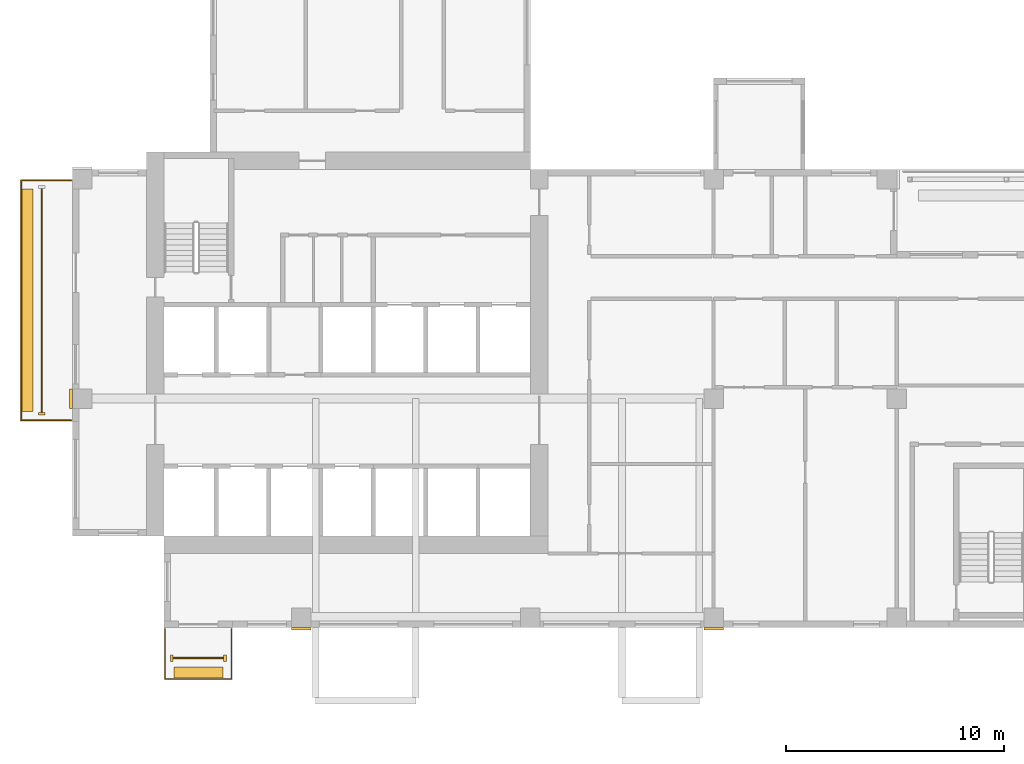
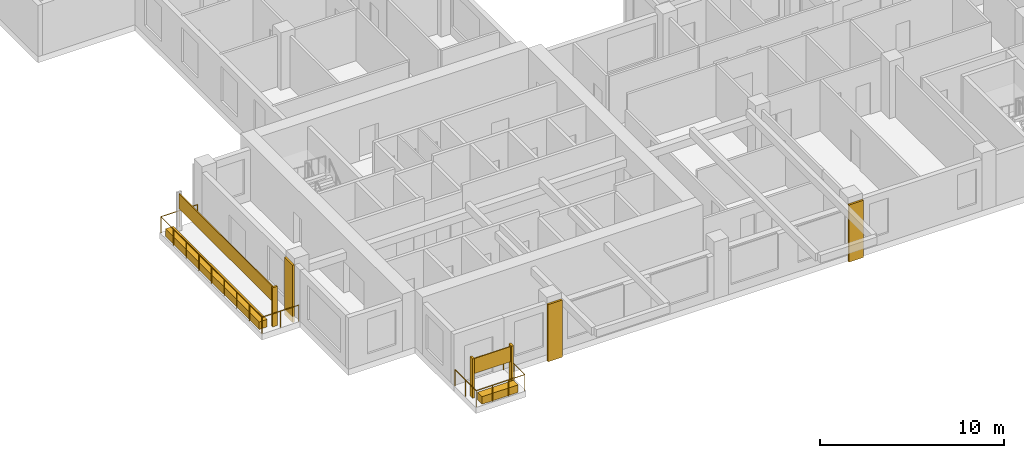
# One storey, part 11 of 15: 10 coverings, 2 railings.
"""IFC4 building model written with IfcOpenShell, lengths in metres."""

from ifc_helpers import new_model, si_unit, direction, frame, origin, origin_2d, place, context, subcontext, project, spatial, rectangle, circle, extrude, source, transform, mapped, material, type_object, element, save


model = new_model("IFC4")

# Units and contexts
model_context = context("Model", 3, precision=1e-05, world=origin(), true_north=direction((0.0, 1.0)))
body_context = subcontext(model_context, "Body", "Model", "MODEL_VIEW")
ifc_project = project(units=[si_unit("LENGTHUNIT", "METRE"), si_unit("AREAUNIT", "SQUARE_METRE"), si_unit("VOLUMEUNIT", "CUBIC_METRE"), si_unit("PLANEANGLEUNIT", "RADIAN"), si_unit("MASSUNIT", "GRAM", prefix="KILO")], contexts=[model_context])

# Site, building, storey
site_placement = place(None, origin())
site = spatial("IfcSite", under=ifc_project, at=site_placement, CompositionType="ELEMENT")
building_placement = place(site_placement, origin())
building = spatial("IfcBuilding", under=site, at=building_placement, Name="Aurelian Terraces", CompositionType="ELEMENT")
storey_placement = place(building_placement, frame((0.0, 0.0, 177.8)))
storey = spatial("IfcBuildingStorey", under=building, at=storey_placement, Name="L38", CompositionType="ELEMENT", Elevation=177.8)

# Coverings
ifc_material_1 = material(Name="Terracotta rainscreen cladding relief", Category="masonry")
covering_type_1 = type_object("IfcCoveringType", Name="BAGUETTE-TC", PredefinedType="CLADDING", material=ifc_material_1)
covering_1_placement = place(storey_placement, frame((10.5, -0.06, -0.4), z_axis=(0.0, 0.0, 1.0), x_axis=(1.0, 0.0, 0.0)))
element("IfcCovering", 1, at=covering_1_placement, inside=storey, type_object=covering_type_1, Name="BAGUETTE pier L38 1", PredefinedType="CLADDING", context=body_context, shape_type="SweptSolid", body=[
    extrude(rectangle(XDim=0.9, YDim=0.12, at=origin_2d()), origin(), (0.0, 0.0, 1.0), 3.8),
])
covering_2_placement = place(storey_placement, frame((-0.06, 10.5, -0.4), z_axis=(0.0, 0.0, 1.0), x_axis=(1.0, 0.0, 0.0)))
element("IfcCovering", 2, at=covering_2_placement, inside=storey, type_object=covering_type_1, Name="BAGUETTE pier L38 4", PredefinedType="CLADDING", context=body_context, shape_type="SweptSolid", body=[
    extrude(rectangle(XDim=0.12, YDim=0.9, at=origin_2d()), origin(), (0.0, 0.0, 1.0), 3.8),
])

# Railings
ifc_material_2 = material(Name="Anodised aluminium", Category="aluminium")
railing_type = type_object("IfcRailingType", Name="GUARD-1100", PredefinedType="GUARDRAIL", material=ifc_material_2)
railing_1_placement = place(storey_placement, frame((4.25, -0.05, 0.0)))
element("IfcRailing", 3, at=railing_1_placement, inside=storey, type_object=railing_type, Name="Balcony guard L38 F01.1", PredefinedType="GUARDRAIL", context=body_context, shape_type="SweptSolid", body=[
    extrude(circle(Radius=0.024, at=origin_2d()), frame((0.0, 0.0, 1.076), z_axis=(0.0, -1.0, 0.0), x_axis=(1.0, 0.0, 0.0)), (0.0, 0.0, 1.0), 2.3),
    extrude(circle(Radius=0.024, at=origin_2d()), frame((0.0, -2.3, 1.076), z_axis=(1.0, 0.0, 0.0), x_axis=(0.0, 1.0, 0.0)), (0.0, 0.0, 1.0), 3.05),
    extrude(circle(Radius=0.024, at=origin_2d()), frame((3.05, -2.3, 1.076), z_axis=(0.0, 1.0, 0.0), x_axis=(-1.0, 0.0, 0.0)), (0.0, 0.0, 1.0), 2.3),
    extrude(circle(Radius=0.021, at=origin_2d()), origin(), (0.0, 0.0, 1.0), 1.052),
    extrude(circle(Radius=0.021, at=origin_2d()), frame((0.0, -1.15, 0.0)), (0.0, 0.0, 1.0), 1.052),
    extrude(circle(Radius=0.021, at=origin_2d()), frame((0.0, -2.3, 0.0)), (0.0, 0.0, 1.0), 1.052),
    extrude(circle(Radius=0.021, at=origin_2d()), frame((1.0167, -2.3, 0.0)), (0.0, 0.0, 1.0), 1.052),
    extrude(circle(Radius=0.021, at=origin_2d()), frame((2.0333, -2.3, 0.0)), (0.0, 0.0, 1.0), 1.052),
    extrude(circle(Radius=0.021, at=origin_2d()), frame((3.05, -2.3, 0.0)), (0.0, 0.0, 1.0), 1.052),
    extrude(circle(Radius=0.021, at=origin_2d()), frame((3.05, -1.15, 0.0)), (0.0, 0.0, 1.0), 1.052),
    extrude(circle(Radius=0.021, at=origin_2d()), frame((3.05, 0.0, 0.0)), (0.0, 0.0, 1.0), 1.052),
])
railing_2_placement = place(storey_placement, frame((-0.05, 20.5, 0.0)))
element("IfcRailing", 4, at=railing_2_placement, inside=storey, type_object=railing_type, Name="Balcony guard L38 F20.35", PredefinedType="GUARDRAIL", context=body_context, shape_type="SweptSolid", body=[
    extrude(circle(Radius=0.024, at=origin_2d()), frame((0.0, 0.0, 1.076), z_axis=(-1.0, 0.0, 0.0), x_axis=(0.0, -1.0, 0.0)), (0.0, 0.0, 1.0), 2.3),
    extrude(circle(Radius=0.024, at=origin_2d()), frame((-2.3, 0.0, 1.076), z_axis=(0.0, -1.0, 0.0), x_axis=(1.0, 0.0, 0.0)), (0.0, 0.0, 1.0), 11.0),
    extrude(circle(Radius=0.024, at=origin_2d()), frame((-2.3, -11.0, 1.076), z_axis=(1.0, 0.0, 0.0), x_axis=(0.0, 1.0, 0.0)), (0.0, 0.0, 1.0), 2.3),
    extrude(circle(Radius=0.021, at=origin_2d()), origin(), (0.0, 0.0, 1.0), 1.052),
    extrude(circle(Radius=0.021, at=origin_2d()), frame((-1.15, 0.0, 0.0)), (0.0, 0.0, 1.0), 1.052),
    extrude(circle(Radius=0.021, at=origin_2d()), frame((-2.3, 0.0, 0.0)), (0.0, 0.0, 1.0), 1.052),
    extrude(circle(Radius=0.021, at=origin_2d()), frame((-2.3, -1.375, 0.0)), (0.0, 0.0, 1.0), 1.052),
    extrude(circle(Radius=0.021, at=origin_2d()), frame((-2.3, -2.75, 0.0)), (0.0, 0.0, 1.0), 1.052),
    extrude(circle(Radius=0.021, at=origin_2d()), frame((-2.3, -4.125, 0.0)), (0.0, 0.0, 1.0), 1.052),
    extrude(circle(Radius=0.021, at=origin_2d()), frame((-2.3, -5.5, 0.0)), (0.0, 0.0, 1.0), 1.052),
    extrude(circle(Radius=0.021, at=origin_2d()), frame((-2.3, -6.875, 0.0)), (0.0, 0.0, 1.0), 1.052),
    extrude(circle(Radius=0.021, at=origin_2d()), frame((-2.3, -8.25, 0.0)), (0.0, 0.0, 1.0), 1.052),
    extrude(circle(Radius=0.021, at=origin_2d()), frame((-2.3, -9.625, 0.0)), (0.0, 0.0, 1.0), 1.052),
    extrude(circle(Radius=0.021, at=origin_2d()), frame((-2.3, -11.0, 0.0)), (0.0, 0.0, 1.0), 1.052),
    extrude(circle(Radius=0.021, at=origin_2d()), frame((-1.15, -11.0, 0.0)), (0.0, 0.0, 1.0), 1.052),
    extrude(circle(Radius=0.021, at=origin_2d()), frame((0.0, -11.0, 0.0)), (0.0, 0.0, 1.0), 1.052),
])

# Coverings
ifc_material_3 = material(Name="Terracotta planter with planting soil", Category="masonry")
covering_type_2 = type_object("IfcCoveringType", Name="PLANTER-TROUGH", PredefinedType="USERDEFINED", material=ifc_material_3)
covering_3_placement = place(storey_placement, frame((5.775, -2.05, 0.0), z_axis=(0.0, 0.0, 1.0), x_axis=(1.0, 0.0, 0.0)))
element("IfcCovering", 5, at=covering_3_placement, inside=storey, type_object=covering_type_2, Name="PLANTER L38 L38-F01-01", ObjectType="PLANTER", PredefinedType="USERDEFINED", context=body_context, shape_type="SweptSolid", body=[
    extrude(rectangle(XDim=2.25, YDim=0.5, at=origin_2d()), origin(), (0.0, 0.0, 1.0), 0.5),
])
covering_4_placement = place(storey_placement, frame((-2.05, 15.0, 0.0), z_axis=(0.0, 0.0, 1.0), x_axis=(1.0, 0.0, 0.0)))
element("IfcCovering", 6, at=covering_4_placement, inside=storey, type_object=covering_type_2, Name="PLANTER L38 L38-F20-35", ObjectType="PLANTER", PredefinedType="USERDEFINED", context=body_context, shape_type="SweptSolid", body=[
    extrude(rectangle(XDim=0.5, YDim=10.2, at=origin_2d()), origin(), (0.0, 0.0, 1.0), 0.5),
])
ifc_material_4 = material(Name="Terracotta rainscreen cladding", Category="masonry")
covering_type_3 = type_object("IfcCoveringType", Name="SCREEN-TC", PredefinedType="CLADDING", material=ifc_material_4)
covering_5_placement = place(storey_placement, frame((5.775, -1.4, 1.5), z_axis=(0.0, 0.0, 1.0), x_axis=(1.0, 0.0, 0.0)))
element("IfcCovering", 7, at=covering_5_placement, inside=storey, type_object=covering_type_3, Name="SCREEN L38 L38-F01-01", PredefinedType="CLADDING", context=body_context, shape_type="SweptSolid", body=[
    extrude(rectangle(XDim=2.33, YDim=0.06, at=origin_2d()), origin(), (0.0, 0.0, 1.0), 1.0),
])
covering_6_placement = place(storey_placement, frame((-1.4, 15.0, 1.5), z_axis=(0.0, 0.0, 1.0), x_axis=(1.0, 0.0, 0.0)))
element("IfcCovering", 8, at=covering_6_placement, inside=storey, type_object=covering_type_3, Name="SCREEN L38 L38-F20-35", PredefinedType="CLADDING", context=body_context, shape_type="SweptSolid", body=[
    extrude(rectangle(XDim=0.06, YDim=10.28, at=origin_2d()), origin(), (0.0, 0.0, 1.0), 1.0),
])
covering_type_4 = type_object("IfcCoveringType", Name="FIN-TC", PredefinedType="CLADDING", material=ifc_material_1)
shared_shape_1 = source(origin(), body_context, "Body", "SweptSolid", [
    extrude(rectangle(XDim=0.3, YDim=0.12, at=origin_2d()), origin(), (0.0, 0.0, 1.0), 2.6),
])
covering_7_placement = place(storey_placement, frame((-1.4, 9.8, 0.0), z_axis=(0.0, 0.0, 1.0), x_axis=(1.0, 0.0, 0.0)))
element("IfcCovering", 9, at=covering_7_placement, inside=storey, type_object=covering_type_4, Name="FIN L38 L38-F20-35.2", PredefinedType="CLADDING", context=body_context, shape_type="MappedRepresentation", body=[
    mapped(shared_shape_1, transform((0.0, 0.0, 0.0), scale=1.0)),
])
shared_shape_2 = source(origin(), body_context, "Body", "SweptSolid", [
    extrude(rectangle(XDim=0.12, YDim=0.3, at=origin_2d()), origin(), (0.0, 0.0, 1.0), 2.6),
])
for number, where, z_axis, x_axis, name in (
    (10, (4.55, -1.4, 0.0), (0.0, 0.0, 1.0), (1.0, 0.0, 0.0), "FIN L38 L38-F01-01.1"),
    (11, (7.0, -1.4, 0.0), (0.0, 0.0, 1.0), (1.0, 0.0, 0.0), "FIN L38 L38-F01-01.2"),
):
    element("IfcCovering", number, at=place(storey_placement, frame(where, z_axis=z_axis, x_axis=x_axis)), inside=storey, type_object=covering_type_4, Name=name, PredefinedType="CLADDING", context=body_context, shape_type="MappedRepresentation", body=[
        mapped(shared_shape_2, transform((0.0, 0.0, 0.0), scale=1.0)),
    ])
shared_shape_3 = source(origin(), body_context, "Body", "SweptSolid", [
    extrude(rectangle(XDim=0.9, YDim=0.12, at=origin_2d()), origin(), (0.0, 0.0, 1.0), 3.8),
])
covering_8_placement = place(storey_placement, frame((29.4, -0.06, -0.4), z_axis=(0.0, 0.0, 1.0), x_axis=(1.0, 0.0, 0.0)))
element("IfcCovering", 12, at=covering_8_placement, inside=storey, type_object=covering_type_1, Name="BAGUETTE pier L38 2", PredefinedType="CLADDING", context=body_context, shape_type="MappedRepresentation", body=[
    mapped(shared_shape_3, transform((0.0, 0.0, 0.0), scale=1.0)),
])

save(model, "model.ifc")
